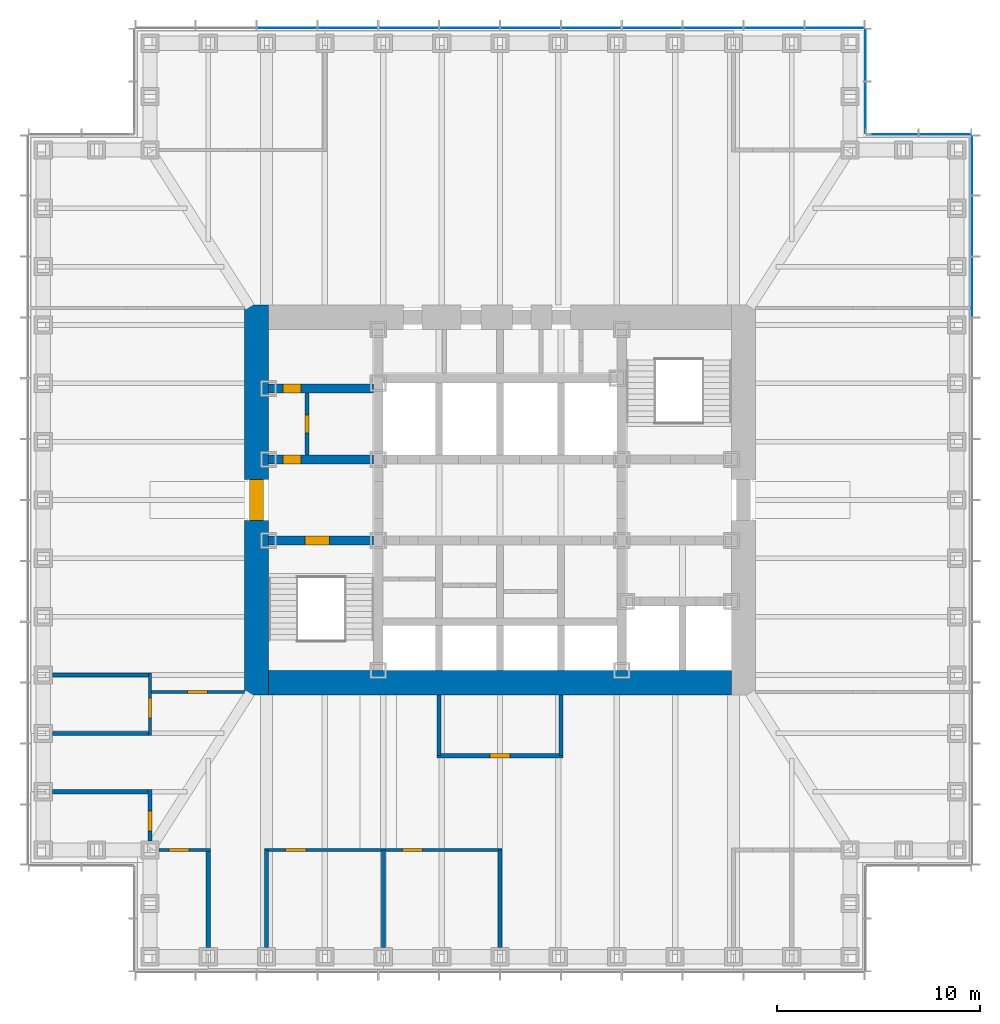
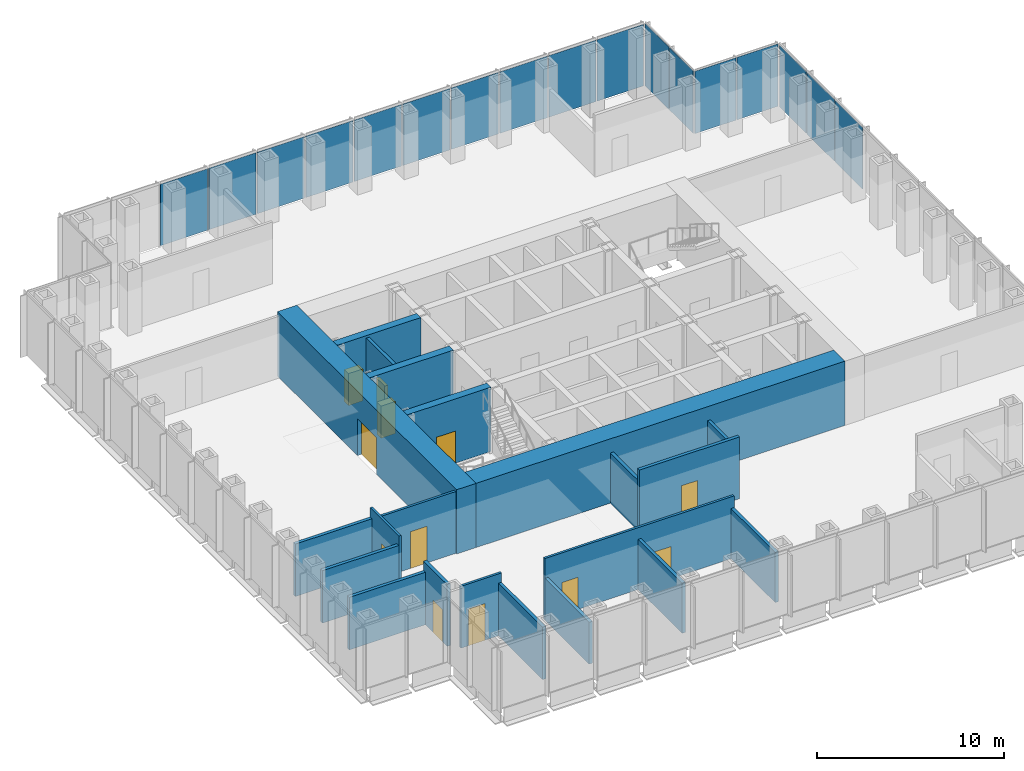
# One storey, part 8 of 16: 21 walls, 17 plates, 12 doors, 12 openings, 4 elements without a shape of their own.
"""IFC4 building model written with IfcOpenShell, lengths in metres."""

from ifc_helpers import new_model, si_unit, direction, frame, frame_2d, origin, origin_2d, place, context, subcontext, project, spatial, rectangle, extrude, material, layer, layer_set, type_object, element, fill, aggregate, save


model = new_model("IFC4")

# Units and contexts
model_context = context("Model", 3, precision=1e-05, world=origin(), true_north=direction((0.0, 1.0)))
body_context = subcontext(model_context, "Body", "Model", "MODEL_VIEW")
ifc_project = project(units=[si_unit("LENGTHUNIT", "METRE"), si_unit("AREAUNIT", "SQUARE_METRE"), si_unit("VOLUMEUNIT", "CUBIC_METRE"), si_unit("PLANEANGLEUNIT", "RADIAN"), si_unit("MASSUNIT", "GRAM", prefix="KILO")], contexts=[model_context])

# Site, building, storey
site_placement = place(None, origin())
site = spatial("IfcSite", under=ifc_project, at=site_placement, CompositionType="ELEMENT")
building_placement = place(site_placement, origin())
building = spatial("IfcBuilding", under=site, at=building_placement, Name="Daluyong Arena Tower", CompositionType="ELEMENT")
storey_placement = place(building_placement, frame((0.0, 0.0, 116.5)))
storey = spatial("IfcBuildingStorey", under=building, at=storey_placement, Name="L25", CompositionType="ELEMENT", Elevation=116.5)

# Curtain wall, plates
ifc_material_1 = material(Name="Bronze anodised aluminium and glass", Category="aluminium")
curtain_wall_type_1 = type_object("IfcCurtainWallType", Name="Curtain wall CW2", PredefinedType="USERDEFINED", material=ifc_material_1)
curtain_wall_1_placement = place(storey_placement, origin())
curtain_wall_1 = element("IfcCurtainWall", 1, at=curtain_wall_1_placement, inside=storey, type_object=curtain_wall_type_1, Name="curtain wall L25 E", ObjectType="UNITISED CURTAIN WALL", PredefinedType="USERDEFINED")
ifc_material_2 = material(Name="Tinted double glazed unit", Category="glass")
ifc_layer_1 = layer(ifc_material_2, 0.031982421875)
ifc_layer_set_1 = layer_set([ifc_layer_1], Name="Tinted double glazed unit")
plate_type_1 = type_object("IfcPlateType", Name="CW2 panel 32", PredefinedType="CURTAIN_PANEL", material=ifc_layer_set_1)
plate_1_placement = place(storey_placement, frame((79.25, 90.5, 0.0), z_axis=(0.0, 0.0, 1.0), x_axis=(0.0, 1.0, 0.0)))
plate_1 = element("IfcPlate", 2, at=plate_1_placement, type_object=plate_type_1, Name="curtain wall L25 E panel 10", PredefinedType="CURTAIN_PANEL", context=body_context, shape_type="SweptSolid", body=[
    extrude(rectangle(XDim=2.919921875, YDim=0.031982421875, at=origin_2d()), origin(), (0.0, 0.0, 1.0), 4.02001953125),
])
plate_2_placement = place(storey_placement, frame((79.25, 93.5, 0.0), z_axis=(0.0, 0.0, 1.0), x_axis=(0.0, 1.0, 0.0)))
plate_2 = element("IfcPlate", 3, at=plate_2_placement, type_object=plate_type_1, Name="curtain wall L25 E panel 11", PredefinedType="CURTAIN_PANEL", context=body_context, shape_type="SweptSolid", body=[
    extrude(rectangle(XDim=2.919921875, YDim=0.031982421875, at=origin_2d()), origin(), (0.0, 0.0, 1.0), 4.02001953125),
])
plate_3_placement = place(storey_placement, frame((79.25, 96.47998046875, 0.0), z_axis=(0.0, 0.0, 1.0), x_axis=(0.0, 1.0, 0.0)))
plate_3 = element("IfcPlate", 4, at=plate_3_placement, type_object=plate_type_1, Name="curtain wall L25 E panel 12", PredefinedType="CURTAIN_PANEL", context=body_context, shape_type="SweptSolid", body=[
    extrude(rectangle(XDim=2.8798828125, YDim=0.031982421875, at=origin_2d()), origin(), (0.0, 0.0, 1.0), 4.02001953125),
])
aggregate(curtain_wall_1, [plate_1, plate_2, plate_3])

curtain_wall_2_placement = place(storey_placement, origin())
curtain_wall_2 = element("IfcCurtainWall", 5, at=curtain_wall_2_placement, inside=storey, type_object=curtain_wall_type_1, Name="curtain wall L25 N", ObjectType="UNITISED CURTAIN WALL", PredefinedType="USERDEFINED")
plate_4_placement = place(storey_placement, frame((72.47998046875, 103.25, 0.0), z_axis=(0.0, 0.0, 1.0), x_axis=(-1.0, 0.0, 0.0)))
plate_4 = element("IfcPlate", 6, at=plate_4_placement, type_object=plate_type_1, Name="curtain wall L25 N panel 1", PredefinedType="CURTAIN_PANEL", context=body_context, shape_type="SweptSolid", body=[
    extrude(rectangle(XDim=2.8798828125, YDim=0.031982421875, at=origin_2d()), origin(), (0.0, 0.0, 1.0), 4.02001953125),
])
plate_5_placement = place(storey_placement, frame((69.5, 103.25, 0.0), z_axis=(0.0, 0.0, 1.0), x_axis=(-1.0, 0.0, 0.0)))
plate_5 = element("IfcPlate", 7, at=plate_5_placement, type_object=plate_type_1, Name="curtain wall L25 N panel 2", PredefinedType="CURTAIN_PANEL", context=body_context, shape_type="SweptSolid", body=[
    extrude(rectangle(XDim=2.919921875, YDim=0.031982421875, at=origin_2d()), origin(), (0.0, 0.0, 1.0), 4.02001953125),
])
plate_6_placement = place(storey_placement, frame((66.5, 103.25, 0.0), z_axis=(0.0, 0.0, 1.0), x_axis=(-1.0, 0.0, 0.0)))
plate_6 = element("IfcPlate", 8, at=plate_6_placement, type_object=plate_type_1, Name="curtain wall L25 N panel 3", PredefinedType="CURTAIN_PANEL", context=body_context, shape_type="SweptSolid", body=[
    extrude(rectangle(XDim=2.919921875, YDim=0.031982421875, at=origin_2d()), origin(), (0.0, 0.0, 1.0), 4.02001953125),
])
plate_7_placement = place(storey_placement, frame((63.5, 103.25, 0.0), z_axis=(0.0, 0.0, 1.0), x_axis=(-1.0, 0.0, 0.0)))
plate_7 = element("IfcPlate", 9, at=plate_7_placement, type_object=plate_type_1, Name="curtain wall L25 N panel 4", PredefinedType="CURTAIN_PANEL", context=body_context, shape_type="SweptSolid", body=[
    extrude(rectangle(XDim=2.919921875, YDim=0.031982421875, at=origin_2d()), origin(), (0.0, 0.0, 1.0), 4.02001953125),
])
plate_8_placement = place(storey_placement, frame((60.5, 103.25, 0.0), z_axis=(0.0, 0.0, 1.0), x_axis=(-1.0, 0.0, 0.0)))
plate_8 = element("IfcPlate", 10, at=plate_8_placement, type_object=plate_type_1, Name="curtain wall L25 N panel 5", PredefinedType="CURTAIN_PANEL", context=body_context, shape_type="SweptSolid", body=[
    extrude(rectangle(XDim=2.919921875, YDim=0.031982421875, at=origin_2d()), origin(), (0.0, 0.0, 1.0), 4.02001953125),
])
plate_9_placement = place(storey_placement, frame((57.5, 103.25, 0.0), z_axis=(0.0, 0.0, 1.0), x_axis=(-1.0, 0.0, 0.0)))
plate_9 = element("IfcPlate", 11, at=plate_9_placement, type_object=plate_type_1, Name="curtain wall L25 N panel 6", PredefinedType="CURTAIN_PANEL", context=body_context, shape_type="SweptSolid", body=[
    extrude(rectangle(XDim=2.919921875, YDim=0.031982421875, at=origin_2d()), origin(), (0.0, 0.0, 1.0), 4.02001953125),
])
plate_10_placement = place(storey_placement, frame((54.5, 103.25, 0.0), z_axis=(0.0, 0.0, 1.0), x_axis=(-1.0, 0.0, 0.0)))
plate_10 = element("IfcPlate", 12, at=plate_10_placement, type_object=plate_type_1, Name="curtain wall L25 N panel 7", PredefinedType="CURTAIN_PANEL", context=body_context, shape_type="SweptSolid", body=[
    extrude(rectangle(XDim=2.919921875, YDim=0.031982421875, at=origin_2d()), origin(), (0.0, 0.0, 1.0), 4.02001953125),
])
plate_11_placement = place(storey_placement, frame((51.5, 103.25, 0.0), z_axis=(0.0, 0.0, 1.0), x_axis=(-1.0, 0.0, 0.0)))
plate_11 = element("IfcPlate", 13, at=plate_11_placement, type_object=plate_type_1, Name="curtain wall L25 N panel 8", PredefinedType="CURTAIN_PANEL", context=body_context, shape_type="SweptSolid", body=[
    extrude(rectangle(XDim=2.919921875, YDim=0.031982421875, at=origin_2d()), origin(), (0.0, 0.0, 1.0), 4.02001953125),
])
plate_12_placement = place(storey_placement, frame((48.5, 103.25, 0.0), z_axis=(0.0, 0.0, 1.0), x_axis=(-1.0, 0.0, 0.0)))
plate_12 = element("IfcPlate", 14, at=plate_12_placement, type_object=plate_type_1, Name="curtain wall L25 N panel 9", PredefinedType="CURTAIN_PANEL", context=body_context, shape_type="SweptSolid", body=[
    extrude(rectangle(XDim=2.919921875, YDim=0.031982421875, at=origin_2d()), origin(), (0.0, 0.0, 1.0), 4.02001953125),
])
plate_13_placement = place(storey_placement, frame((45.5, 103.25, 0.0), z_axis=(0.0, 0.0, 1.0), x_axis=(-1.0, 0.0, 0.0)))
plate_13 = element("IfcPlate", 15, at=plate_13_placement, type_object=plate_type_1, Name="curtain wall L25 N panel 10", PredefinedType="CURTAIN_PANEL", context=body_context, shape_type="SweptSolid", body=[
    extrude(rectangle(XDim=2.919921875, YDim=0.031982421875, at=origin_2d()), origin(), (0.0, 0.0, 1.0), 4.02001953125),
])
aggregate(curtain_wall_2, [plate_4, plate_5, plate_6, plate_7, plate_8, plate_9, plate_10, plate_11, plate_12, plate_13])

ifc_material_3 = material(Name="Bronze anodised aluminium and glass", Category="aluminium")
curtain_wall_type_2 = type_object("IfcCurtainWallType", Name="Curtain wall CW7", PredefinedType="USERDEFINED", material=ifc_material_3)
curtain_wall_3_placement = place(storey_placement, origin())
curtain_wall_3 = element("IfcCurtainWall", 16, at=curtain_wall_3_placement, inside=storey, type_object=curtain_wall_type_2, Name="curtain wall L25 NE-N", ObjectType="UNITISED CURTAIN WALL", PredefinedType="USERDEFINED")
ifc_material_4 = material(Name="Tinted double glazed unit", Category="glass")
ifc_layer_2 = layer(ifc_material_4, 0.028076171875)
ifc_layer_set_2 = layer_set([ifc_layer_2], Name="Tinted double glazed unit")
plate_type_2 = type_object("IfcPlateType", Name="CW7 panel 28", PredefinedType="CURTAIN_PANEL", material=ifc_layer_set_2)
plate_14_placement = place(storey_placement, frame((77.922607421875, 98.0, 0.0), z_axis=(0.0, 0.0, 1.0), x_axis=(-1.0, 0.0, 0.0)))
plate_14 = element("IfcPlate", 17, at=plate_14_placement, type_object=plate_type_2, Name="curtain wall L25 NE-N panel 1", PredefinedType="CURTAIN_PANEL", context=body_context, shape_type="SweptSolid", body=[
    extrude(rectangle(XDim=2.534912109375, YDim=0.028076171875, at=origin_2d()), origin(), (0.0, 0.0, 1.0), 4.080078125),
])
plate_15_placement = place(storey_placement, frame((75.327392578125, 98.0, 0.0), z_axis=(0.0, 0.0, 1.0), x_axis=(-1.0, 0.0, 0.0)))
plate_15 = element("IfcPlate", 18, at=plate_15_placement, type_object=plate_type_2, Name="curtain wall L25 NE-N panel 2", PredefinedType="CURTAIN_PANEL", context=body_context, shape_type="SweptSolid", body=[
    extrude(rectangle(XDim=2.534912109375, YDim=0.028076171875, at=origin_2d()), origin(), (0.0, 0.0, 1.0), 4.080078125),
])
aggregate(curtain_wall_3, [plate_14, plate_15])

curtain_wall_4_placement = place(storey_placement, origin())
curtain_wall_4 = element("IfcCurtainWall", 19, at=curtain_wall_4_placement, inside=storey, type_object=curtain_wall_type_2, Name="curtain wall L25 NE-E", ObjectType="UNITISED CURTAIN WALL", PredefinedType="USERDEFINED")
plate_16_placement = place(storey_placement, frame((74.0, 99.327392578125, 0.0), z_axis=(0.0, 0.0, 1.0), x_axis=(0.0, 1.0, 0.0)))
plate_16 = element("IfcPlate", 20, at=plate_16_placement, type_object=plate_type_2, Name="curtain wall L25 NE-E panel 1", PredefinedType="CURTAIN_PANEL", context=body_context, shape_type="SweptSolid", body=[
    extrude(rectangle(XDim=2.534912109375, YDim=0.028076171875, at=origin_2d()), origin(), (0.0, 0.0, 1.0), 4.080078125),
])
plate_17_placement = place(storey_placement, frame((74.0, 101.922607421875, 0.0), z_axis=(0.0, 0.0, 1.0), x_axis=(0.0, 1.0, 0.0)))
plate_17 = element("IfcPlate", 21, at=plate_17_placement, type_object=plate_type_2, Name="curtain wall L25 NE-E panel 2", PredefinedType="CURTAIN_PANEL", context=body_context, shape_type="SweptSolid", body=[
    extrude(rectangle(XDim=2.534912109375, YDim=0.028076171875, at=origin_2d()), origin(), (0.0, 0.0, 1.0), 4.080078125),
])
aggregate(curtain_wall_4, [plate_16, plate_17])

# Wall, opening, door
ifc_material_5 = material(Name="Concrete fc' 45 MPa", Category="concrete")
ifc_layer_3 = layer(ifc_material_5, 0.449951171875)
ifc_layer_set_3 = layer_set([ifc_layer_3], Name="Concrete fc' 45 MPa")
wall_type_1 = type_object("IfcWallType", Name="Core inner wall 450", PredefinedType="SHEAR", material=ifc_layer_set_3)
wall_1_placement = place(storey_placement, frame((44.60009765625, 78.0, 0.0), z_axis=(0.0, 0.0, 1.0), x_axis=(1.0, 0.0, 0.0)))
wall_1 = element("IfcWall", 22, at=wall_1_placement, inside=storey, type_object=wall_type_1, Name="core inner wall at L25", PredefinedType="SHEAR", context=body_context, shape_type="SweptSolid", body=[
    extrude(rectangle(XDim=5.1748046875, YDim=0.449951171875, at=frame_2d((2.58740234375, 0.0))), origin(), (0.0, 0.0, 1.0), 4.199951171875),
])
opening_1_placement = place(wall_1_placement, frame((1.800048828125, 0.0, 0.0)))
opening_1 = element("IfcOpeningElement", 23, at=opening_1_placement, cuts=wall_1, Name="Opening 25016", PredefinedType="OPENING", context=body_context, shape_type="SweptSolid", body=[
    extrude(rectangle(XDim=1.199951171875, YDim=2.10009765625, at=frame_2d((0.60009765625, 1.050048828125))), frame((0.0, 0.23486328125, 0.0), z_axis=(0.0, -1.0, 0.0), x_axis=(1.0, 0.0, 0.0)), (0.0, 0.0, 1.0), 0.469970703125),
])
ifc_material_6 = material(Name="Steel door, fire rated", Category="steel")
door_type_1 = type_object("IfcDoorType", Name="Stair door 1200", OperationType="SINGLE_SWING_LEFT", PredefinedType="DOOR", material=ifc_material_6)
door_1_placement = place(opening_1_placement, origin())
door_1 = element("IfcDoor", 24, at=door_1_placement, inside=storey, type_object=door_type_1, Name="stair A door 25016", OperationType="SINGLE_SWING_LEFT", OverallHeight=2.10009765625, OverallWidth=1.199951171875, PredefinedType="DOOR", context=body_context, shape_type="SweptSolid", body=[
    extrude(rectangle(XDim=1.199951171875, YDim=2.10009765625, at=frame_2d((0.60009765625, 1.050048828125))), frame((0.0, 0.224609375, 0.0), z_axis=(0.0, -1.0, 0.0), x_axis=(1.0, 0.0, 0.0)), (0.0, 0.0, 1.0), 0.449462890625),
])
fill(opening_1, door_1)

wall_2_placement = place(storey_placement, frame((44.60009765625, 82.0, 0.0), z_axis=(0.0, 0.0, 1.0), x_axis=(1.0, 0.0, 0.0)))
wall_2 = element("IfcWall", 25, at=wall_2_placement, inside=storey, type_object=wall_type_1, Name="core inner wall at L25", PredefinedType="SHEAR", context=body_context, shape_type="SweptSolid", body=[
    extrude(rectangle(XDim=5.1748046875, YDim=0.449951171875, at=frame_2d((2.58740234375, 0.0))), origin(), (0.0, 0.0, 1.0), 4.199951171875),
])
opening_2_placement = place(wall_2_placement, frame((0.699951171875, 0.0, 0.0)))
opening_2 = element("IfcOpeningElement", 26, at=opening_2_placement, cuts=wall_2, Name="Opening 25001", PredefinedType="OPENING", context=body_context, shape_type="SweptSolid", body=[
    extrude(rectangle(XDim=0.89990234375, YDim=2.10009765625, at=frame_2d((0.449951171875, 1.050048828125))), frame((0.0, 0.23486328125, 0.0), z_axis=(0.0, -1.0, 0.0), x_axis=(1.0, 0.0, 0.0)), (0.0, 0.0, 1.0), 0.469970703125),
])
ifc_material_7 = material(Name="Steel door, fire rated", Category="steel")
door_type_2 = type_object("IfcDoorType", Name="Core room door 900", OperationType="SINGLE_SWING_LEFT", PredefinedType="DOOR", material=ifc_material_7)
door_2_placement = place(opening_2_placement, origin())
door_2 = element("IfcDoor", 27, at=door_2_placement, inside=storey, type_object=door_type_2, Name="toilet lobby door 25001", OperationType="SINGLE_SWING_LEFT", OverallHeight=2.10009765625, OverallWidth=0.89990234375, PredefinedType="DOOR", context=body_context, shape_type="SweptSolid", body=[
    extrude(rectangle(XDim=0.89990234375, YDim=2.10009765625, at=frame_2d((0.449951171875, 1.050048828125))), frame((0.0, 0.224609375, 0.0), z_axis=(0.0, -1.0, 0.0), x_axis=(1.0, 0.0, 0.0)), (0.0, 0.0, 1.0), 0.449462890625),
])
fill(opening_2, door_2)

wall_3_placement = place(storey_placement, frame((44.60009765625, 85.5, 0.0), z_axis=(0.0, 0.0, 1.0), x_axis=(1.0, 0.0, 0.0)))
wall_3 = element("IfcWall", 28, at=wall_3_placement, inside=storey, type_object=wall_type_1, Name="core inner wall at L25", PredefinedType="SHEAR", context=body_context, shape_type="SweptSolid", body=[
    extrude(rectangle(XDim=5.1748046875, YDim=0.449951171875, at=frame_2d((2.58740234375, 0.0))), origin(), (0.0, 0.0, 1.0), 4.199951171875),
])
opening_3_placement = place(wall_3_placement, frame((0.699951171875, 0.0, 0.0)))
opening_3 = element("IfcOpeningElement", 29, at=opening_3_placement, cuts=wall_3, Name="Opening 25003", PredefinedType="OPENING", context=body_context, shape_type="SweptSolid", body=[
    extrude(rectangle(XDim=0.89990234375, YDim=2.10009765625, at=frame_2d((0.449951171875, 1.050048828125))), frame((0.0, 0.23486328125, 0.0), z_axis=(0.0, -1.0, 0.0), x_axis=(1.0, 0.0, 0.0)), (0.0, 0.0, 1.0), 0.469970703125),
])
ifc_material_8 = material(Name="Timber door", Category="wood")
door_type_3 = type_object("IfcDoorType", Name="Toilet door 900", OperationType="SINGLE_SWING_RIGHT", PredefinedType="DOOR", material=ifc_material_8)
door_3_placement = place(opening_3_placement, origin())
door_3 = element("IfcDoor", 30, at=door_3_placement, inside=storey, type_object=door_type_3, Name="female toilet door 25003", OperationType="SINGLE_SWING_RIGHT", OverallHeight=2.10009765625, OverallWidth=0.89990234375, PredefinedType="DOOR", context=body_context, shape_type="SweptSolid", body=[
    extrude(rectangle(XDim=0.89990234375, YDim=2.10009765625, at=frame_2d((0.449951171875, 1.050048828125))), frame((0.0, 0.224609375, 0.0), z_axis=(0.0, -1.0, 0.0), x_axis=(1.0, 0.0, 0.0)), (0.0, 0.0, 1.0), 0.449462890625),
])
fill(opening_3, door_3)

ifc_material_9 = material(Name="Concrete fc' 60 MPa", Category="concrete")
ifc_layer_4 = layer(ifc_material_9, 1.199951171875)
ifc_layer_set_4 = layer_set([ifc_layer_4], Name="Concrete fc' 60 MPa")
wall_type_2 = type_object("IfcWallType", Name="Core wall 1200", PredefinedType="SHEAR", material=ifc_layer_set_4)
wall_4_placement = place(storey_placement, frame((44.0, 70.39990234375, 0.0), z_axis=(0.0, 0.0, 1.0), x_axis=(0.0, 1.0, 0.0)))
wall_4 = element("IfcWall", 31, at=wall_4_placement, inside=storey, type_object=wall_type_2, Name="core wall at L25", PredefinedType="SHEAR", context=body_context, shape_type="SweptSolid", body=[
    extrude(rectangle(XDim=19.2001953125, YDim=1.199951171875, at=frame_2d((9.60009765625, 0.0))), origin(), (0.0, 0.0, 1.0), 4.199951171875),
])
opening_4_placement = place(wall_4_placement, frame((8.60009765625, 0.0, 0.0)))
opening_4 = element("IfcOpeningElement", 32, at=opening_4_placement, cuts=wall_4, Name="Opening 25018", PredefinedType="OPENING", context=body_context, shape_type="SweptSolid", body=[
    extrude(rectangle(XDim=2.0, YDim=2.39990234375, at=frame_2d((1.0, 1.199951171875))), frame((0.0, 0.60986328125, 0.0), z_axis=(0.0, -1.0, 0.0), x_axis=(1.0, 0.0, 0.0)), (0.0, 0.0, 1.0), 1.219970703125),
])
ifc_material_10 = material(Name="Steel door, fire rated", Category="steel")
door_type_4 = type_object("IfcDoorType", Name="Core lobby double door 2000", OperationType="DOUBLE_DOOR_SINGLE_SWING", PredefinedType="DOOR", material=ifc_material_10)
door_4_placement = place(opening_4_placement, origin())
door_4 = element("IfcDoor", 33, at=door_4_placement, inside=storey, type_object=door_type_4, Name="core lobby door west 25018", OperationType="DOUBLE_DOOR_SINGLE_SWING", OverallHeight=2.39990234375, OverallWidth=2.0, PredefinedType="DOOR", context=body_context, shape_type="SweptSolid", body=[
    extrude(rectangle(XDim=2.0, YDim=2.39990234375, at=frame_2d((1.0, 1.199951171875))), frame((0.0, 0.35009765625, 0.0), z_axis=(0.0, -1.0, 0.0), x_axis=(1.0, 0.0, 0.0)), (0.0, 0.0, 1.0), 0.699951171875),
])
fill(opening_4, door_4)

# Wall
wall_5_placement = place(storey_placement, frame((44.60009765625, 71.0, 0.0), z_axis=(0.0, 0.0, 1.0), x_axis=(1.0, 0.0, 0.0)))
element("IfcWall", 34, at=wall_5_placement, inside=storey, type_object=wall_type_2, Name="core wall at L25", PredefinedType="SHEAR", context=body_context, shape_type="SweptSolid", body=[
    extrude(rectangle(XDim=22.7998046875, YDim=1.199951171875, at=frame_2d((11.39990234375, 0.0))), origin(), (0.0, 0.0, 1.0), 4.199951171875),
])

# Wall, opening, door
ifc_material_11 = material(Name="Concrete block partition, fire rated", Category="concrete")
ifc_layer_5 = layer(ifc_material_11, 0.199951171875)
ifc_layer_set_5 = layer_set([ifc_layer_5], Name="Concrete block partition, fire rated")
wall_type_3 = type_object("IfcWallType", Name="Fire-rated partition 200", PredefinedType="PARTITIONING", material=ifc_layer_set_5)
wall_6_placement = place(storey_placement, frame((46.5, 82.22509765625, 0.0), z_axis=(0.0, 0.0, 1.0), x_axis=(0.0, 1.0, 0.0)))
wall_6 = element("IfcWall", 35, at=wall_6_placement, inside=storey, type_object=wall_type_3, Name="toilet lobby partition at L25", PredefinedType="PARTITIONING", context=body_context, shape_type="SweptSolid", body=[
    extrude(rectangle(XDim=3.0498046875, YDim=0.199951171875, at=frame_2d((1.52490234375, 0.0))), origin(), (0.0, 0.0, 1.0), 4.0400390625),
])
opening_5_placement = place(wall_6_placement, frame((1.074951171875, 0.0, 0.0)))
opening_5 = element("IfcOpeningElement", 36, at=opening_5_placement, cuts=wall_6, Name="Opening 25002", PredefinedType="OPENING", context=body_context, shape_type="SweptSolid", body=[
    extrude(rectangle(XDim=0.89990234375, YDim=2.10009765625, at=frame_2d((0.449951171875, 1.050048828125))), frame((0.0, 0.10986328125, 0.0), z_axis=(0.0, -1.0, 0.0), x_axis=(1.0, 0.0, 0.0)), (0.0, 0.0, 1.0), 0.219970703125),
])
door_5_placement = place(opening_5_placement, origin())
door_5 = element("IfcDoor", 37, at=door_5_placement, inside=storey, type_object=door_type_3, Name="male toilet door 25002", OperationType="SINGLE_SWING_RIGHT", OverallHeight=2.10009765625, OverallWidth=0.89990234375, PredefinedType="DOOR", context=body_context, shape_type="SweptSolid", body=[
    extrude(rectangle(XDim=0.89990234375, YDim=2.10009765625, at=frame_2d((0.449951171875, 1.050048828125))), frame((0.0, 0.099609375, 0.0), z_axis=(0.0, -1.0, 0.0), x_axis=(1.0, 0.0, 0.0)), (0.0, 0.0, 1.0), 0.199462890625),
])
fill(opening_5, door_5)

ifc_material_12 = material(Name="Glazed aluminium partition", Category="aluminium")
ifc_layer_6 = layer(ifc_material_12, 0.14990234375)
ifc_layer_set_6 = layer_set([ifc_layer_6], Name="Glazed aluminium partition")
wall_type_4 = type_object("IfcWallType", Name="Glazed partition 150", PredefinedType="PARTITIONING", material=ifc_layer_set_6)
wall_7_placement = place(storey_placement, frame((39.199951171875, 62.75, 0.0), z_axis=(0.0, 0.0, 1.0), x_axis=(1.0, 0.0, 0.0)))
wall_7 = element("IfcWall", 38, at=wall_7_placement, inside=storey, type_object=wall_type_4, Name="glazed partition at L25", PredefinedType="PARTITIONING", context=body_context, shape_type="SweptSolid", body=[
    extrude(rectangle(XDim=2.525146484375, YDim=0.14990234375, at=frame_2d((1.2626953125, 0.0))), origin(), (0.0, 0.0, 1.0), 4.0400390625),
])
opening_6_placement = place(wall_7_placement, frame((0.487548828125, 0.0, 0.0)))
opening_6 = element("IfcOpeningElement", 39, at=opening_6_placement, cuts=wall_7, Name="Opening 25029", PredefinedType="OPENING", context=body_context, shape_type="SweptSolid", body=[
    extrude(rectangle(XDim=1.0, YDim=2.39990234375, at=frame_2d((0.5, 1.199951171875))), frame((0.0, 0.0849609375, 0.0), z_axis=(0.0, -1.0, 0.0), x_axis=(1.0, 0.0, 0.0)), (0.0, 0.0, 1.0), 0.169921875),
])
ifc_material_13 = material(Name="Glazed aluminium door", Category="aluminium")
door_type_5 = type_object("IfcDoorType", Name="Meeting room glazed door 1000", OperationType="SINGLE_SWING_RIGHT", PredefinedType="DOOR", material=ifc_material_13)
door_6_placement = place(opening_6_placement, origin())
door_6 = element("IfcDoor", 40, at=door_6_placement, inside=storey, type_object=door_type_5, Name="meeting room door 25029", OperationType="SINGLE_SWING_RIGHT", OverallHeight=2.39990234375, OverallWidth=1.0, PredefinedType="DOOR", context=body_context, shape_type="SweptSolid", body=[
    extrude(rectangle(XDim=1.0, YDim=2.39990234375, at=frame_2d((0.5, 1.199951171875))), frame((0.0, 0.07470703125, 0.0), z_axis=(0.0, -1.0, 0.0), x_axis=(1.0, 0.0, 0.0)), (0.0, 0.0, 1.0), 0.1494140625),
])
fill(opening_6, door_6)

# Wall, openings, doors
wall_8_placement = place(storey_placement, frame((44.39990234375, 62.75, 0.0), z_axis=(0.0, 0.0, 1.0), x_axis=(1.0, 0.0, 0.0)))
wall_8 = element("IfcWall", 41, at=wall_8_placement, inside=storey, type_object=wall_type_4, Name="glazed partition at L25", PredefinedType="PARTITIONING", context=body_context, shape_type="SweptSolid", body=[
    extrude(rectangle(XDim=11.7001953125, YDim=0.14990234375, at=frame_2d((5.85009765625, 0.0))), origin(), (0.0, 0.0, 1.0), 4.0400390625),
])
opening_7_placement = place(wall_8_placement, frame((1.03759765625, 0.0, 0.0)))
opening_7 = element("IfcOpeningElement", 42, at=opening_7_placement, cuts=wall_8, Name="Opening 25030", PredefinedType="OPENING", context=body_context, shape_type="SweptSolid", body=[
    extrude(rectangle(XDim=1.0, YDim=2.10009765625, at=frame_2d((0.5, 1.050048828125))), frame((0.0, 0.0849609375, 0.0), z_axis=(0.0, -1.0, 0.0), x_axis=(1.0, 0.0, 0.0)), (0.0, 0.0, 1.0), 0.169921875),
])
opening_8_placement = place(wall_8_placement, frame((6.78759765625, 0.0, 0.0)))
opening_8 = element("IfcOpeningElement", 43, at=opening_8_placement, cuts=wall_8, Name="Opening 25031", PredefinedType="OPENING", context=body_context, shape_type="SweptSolid", body=[
    extrude(rectangle(XDim=1.0, YDim=2.10009765625, at=frame_2d((0.5, 1.050048828125))), frame((0.0, 0.0849609375, 0.0), z_axis=(0.0, -1.0, 0.0), x_axis=(1.0, 0.0, 0.0)), (0.0, 0.0, 1.0), 0.169921875),
])
ifc_material_14 = material(Name="Timber door", Category="wood")
door_type_6 = type_object("IfcDoorType", Name="Room door 1000", OperationType="SINGLE_SWING_LEFT", PredefinedType="DOOR", material=ifc_material_14)
door_7_placement = place(opening_7_placement, origin())
door_7 = element("IfcDoor", 44, at=door_7_placement, inside=storey, type_object=door_type_6, Name="office door 25030", OperationType="SINGLE_SWING_LEFT", OverallHeight=2.10009765625, OverallWidth=1.0, PredefinedType="DOOR", context=body_context, shape_type="SweptSolid", body=[
    extrude(rectangle(XDim=1.0, YDim=2.10009765625, at=frame_2d((0.5, 1.050048828125))), frame((0.0, 0.07470703125, 0.0), z_axis=(0.0, -1.0, 0.0), x_axis=(1.0, 0.0, 0.0)), (0.0, 0.0, 1.0), 0.1494140625),
])
fill(opening_7, door_7)
door_8_placement = place(opening_8_placement, origin())
door_8 = element("IfcDoor", 45, at=door_8_placement, inside=storey, type_object=door_type_6, Name="office door 25031", OperationType="SINGLE_SWING_LEFT", OverallHeight=2.10009765625, OverallWidth=1.0, PredefinedType="DOOR", context=body_context, shape_type="SweptSolid", body=[
    extrude(rectangle(XDim=1.0, YDim=2.10009765625, at=frame_2d((0.5, 1.050048828125))), frame((0.0, 0.07470703125, 0.0), z_axis=(0.0, -1.0, 0.0), x_axis=(1.0, 0.0, 0.0)), (0.0, 0.0, 1.0), 0.1494140625),
])
fill(opening_8, door_8)

# Wall, opening, door
wall_9_placement = place(storey_placement, frame((38.800048828125, 70.550048828125, 0.0), z_axis=(0.0, 0.0, 1.0), x_axis=(1.0, 0.0, 0.0)))
wall_9 = element("IfcWall", 46, at=wall_9_placement, inside=storey, type_object=wall_type_4, Name="glazed partition at L25", PredefinedType="PARTITIONING", context=body_context, shape_type="SweptSolid", body=[
    extrude(rectangle(XDim=4.599853515625, YDim=0.14990234375, at=frame_2d((2.2998046875, 0.0))), origin(), (0.0, 0.0, 1.0), 4.0400390625),
])
opening_9_placement = place(wall_9_placement, frame((1.800048828125, 0.0, 0.0)))
opening_9 = element("IfcOpeningElement", 47, at=opening_9_placement, cuts=wall_9, Name="Opening 25039", PredefinedType="OPENING", context=body_context, shape_type="SweptSolid", body=[
    extrude(rectangle(XDim=1.0, YDim=2.39990234375, at=frame_2d((0.5, 1.199951171875))), frame((0.0, 0.0849609375, 0.0), z_axis=(0.0, -1.0, 0.0), x_axis=(1.0, 0.0, 0.0)), (0.0, 0.0, 1.0), 0.169921875),
])
door_9_placement = place(opening_9_placement, origin())
door_9 = element("IfcDoor", 48, at=door_9_placement, inside=storey, type_object=door_type_5, Name="team area screen door 25039", OperationType="SINGLE_SWING_RIGHT", OverallHeight=2.39990234375, OverallWidth=1.0, PredefinedType="DOOR", context=body_context, shape_type="SweptSolid", body=[
    extrude(rectangle(XDim=1.0, YDim=2.39990234375, at=frame_2d((0.5, 1.199951171875))), frame((0.0, 0.07470703125, 0.0), z_axis=(0.0, -1.0, 0.0), x_axis=(1.0, 0.0, 0.0)), (0.0, 0.0, 1.0), 0.1494140625),
])
fill(opening_9, door_9)

wall_10_placement = place(storey_placement, frame((38.75, 68.39990234375, 0.0), z_axis=(0.0, 0.0, 1.0), x_axis=(0.0, 1.0, 0.0)))
wall_10 = element("IfcWall", 49, at=wall_10_placement, inside=storey, type_object=wall_type_4, Name="glazed partition at L25", PredefinedType="PARTITIONING", context=body_context, shape_type="SweptSolid", body=[
    extrude(rectangle(XDim=3.0751953125, YDim=0.14990234375, at=frame_2d((1.53759765625, 0.0))), origin(), (0.0, 0.0, 1.0), 4.0400390625),
])
opening_10_placement = place(wall_10_placement, frame((0.85009765625, 0.0, 0.0)))
opening_10 = element("IfcOpeningElement", 50, at=opening_10_placement, cuts=wall_10, Name="Opening 25037", PredefinedType="OPENING", context=body_context, shape_type="SweptSolid", body=[
    extrude(rectangle(XDim=1.0, YDim=2.39990234375, at=frame_2d((0.5, 1.199951171875))), frame((0.0, 0.0849609375, 0.0), z_axis=(0.0, -1.0, 0.0), x_axis=(1.0, 0.0, 0.0)), (0.0, 0.0, 1.0), 0.169921875),
])
door_10_placement = place(opening_10_placement, origin())
door_10 = element("IfcDoor", 51, at=door_10_placement, inside=storey, type_object=door_type_5, Name="focus room door 25037", OperationType="SINGLE_SWING_RIGHT", OverallHeight=2.39990234375, OverallWidth=1.0, PredefinedType="DOOR", context=body_context, shape_type="SweptSolid", body=[
    extrude(rectangle(XDim=1.0, YDim=2.39990234375, at=frame_2d((0.5, 1.199951171875))), frame((0.0, 0.07470703125, 0.0), z_axis=(0.0, -1.0, 0.0), x_axis=(1.0, 0.0, 0.0)), (0.0, 0.0, 1.0), 0.1494140625),
])
fill(opening_10, door_10)

# Walls
ifc_material_15 = material(Name="Concrete block partition", Category="concrete")
ifc_layer_7 = layer(ifc_material_15, 0.199951171875)
ifc_layer_set_7 = layer_set([ifc_layer_7], Name="Concrete block partition")
wall_type_5 = type_object("IfcWallType", Name="Partition 200", PredefinedType="PARTITIONING", material=ifc_layer_set_7)
wall_11_placement = place(storey_placement, frame((41.625, 57.949951171875, 0.0), z_axis=(0.0, 0.0, 1.0), x_axis=(0.0, 1.0, 0.0)))
element("IfcWall", 52, at=wall_11_placement, inside=storey, type_object=wall_type_5, Name="partition at L25", PredefinedType="PARTITIONING", context=body_context, shape_type="SweptSolid", body=[
    extrude(rectangle(XDim=4.800048828125, YDim=0.199951171875, at=frame_2d((2.39990234375, 0.0))), origin(), (0.0, 0.0, 1.0), 3.427978515625),
])
wall_12_placement = place(storey_placement, frame((44.5, 57.949951171875, 0.0), z_axis=(0.0, 0.0, 1.0), x_axis=(0.0, 1.0, 0.0)))
element("IfcWall", 53, at=wall_12_placement, inside=storey, type_object=wall_type_5, Name="partition at L25", PredefinedType="PARTITIONING", context=body_context, shape_type="SweptSolid", body=[
    extrude(rectangle(XDim=4.800048828125, YDim=0.199951171875, at=frame_2d((2.39990234375, 0.0))), origin(), (0.0, 0.0, 1.0), 2.739990234375),
])
for number, where, z_axis, x_axis, name in (
    (54, (50.25, 57.949951171875, 0.0), (0.0, 0.0, 1.0), (0.0, 1.0, 0.0), "partition at L25"),
    (55, (56.0, 57.949951171875, 0.0), (0.0, 0.0, 1.0), (0.0, 1.0, 0.0), "partition at L25"),
):
    element("IfcWall", number, at=place(storey_placement, frame(where, z_axis=z_axis, x_axis=x_axis)), inside=storey, type_object=wall_type_5, Name=name, PredefinedType="PARTITIONING", context=body_context, shape_type="SweptSolid", body=[
        extrude(rectangle(XDim=4.800048828125, YDim=0.199951171875, at=frame_2d((2.39990234375, 0.0))), origin(), (0.0, 0.0, 1.0), 3.278076171875),
    ])
for number, where, z_axis, x_axis, name in (
    (56, (33.949951171875, 65.625, 0.0), (0.0, 0.0, 1.0), (1.0, 0.0, 0.0), "partition at L25"),
    (57, (33.949951171875, 68.5, 0.0), (0.0, 0.0, 1.0), (1.0, 0.0, 0.0), "partition at L25"),
    (58, (33.949951171875, 71.375, 0.0), (0.0, 0.0, 1.0), (1.0, 0.0, 0.0), "partition at L25"),
):
    element("IfcWall", number, at=place(storey_placement, frame(where, z_axis=z_axis, x_axis=x_axis)), inside=storey, type_object=wall_type_5, Name=name, PredefinedType="PARTITIONING", context=body_context, shape_type="SweptSolid", body=[
        extrude(rectangle(XDim=4.800048828125, YDim=0.199951171875, at=frame_2d((2.39990234375, 0.0))), origin(), (0.0, 0.0, 1.0), 3.427978515625),
    ])
for number, where, z_axis, x_axis, name in (
    (59, (53.0, 67.39990234375, 0.0), (0.0, 0.0, 1.0), (0.0, 1.0, 0.0), "partition at L25"),
    (60, (59.0, 67.39990234375, 0.0), (0.0, 0.0, 1.0), (0.0, 1.0, 0.0), "partition at L25"),
):
    element("IfcWall", number, at=place(storey_placement, frame(where, z_axis=z_axis, x_axis=x_axis)), inside=storey, type_object=wall_type_5, Name=name, PredefinedType="PARTITIONING", context=body_context, shape_type="SweptSolid", body=[
        extrude(rectangle(XDim=3.0, YDim=0.199951171875, at=frame_2d((1.5, 0.0))), origin(), (0.0, 0.0, 1.0), 3.278076171875),
    ])

# Wall, opening, door
wall_13_placement = place(storey_placement, frame((52.89990234375, 67.39990234375, 0.0), z_axis=(0.0, 0.0, 1.0), x_axis=(1.0, 0.0, 0.0)))
wall_13 = element("IfcWall", 61, at=wall_13_placement, inside=storey, type_object=wall_type_5, Name="partition at L25", PredefinedType="PARTITIONING", context=body_context, shape_type="SweptSolid", body=[
    extrude(rectangle(XDim=6.2001953125, YDim=0.199951171875, at=frame_2d((3.10009765625, 0.0))), origin(), (0.0, 0.0, 1.0), 4.0400390625),
])
opening_11_placement = place(wall_13_placement, frame((2.60009765625, 0.0, 0.0)))
opening_11 = element("IfcOpeningElement", 62, at=opening_11_placement, cuts=wall_13, Name="Opening 25038", PredefinedType="OPENING", context=body_context, shape_type="SweptSolid", body=[
    extrude(rectangle(XDim=1.0, YDim=2.10009765625, at=frame_2d((0.5, 1.050048828125))), frame((0.0, 0.10986328125, 0.0), z_axis=(0.0, -1.0, 0.0), x_axis=(1.0, 0.0, 0.0)), (0.0, 0.0, 1.0), 0.219970703125),
])
door_11_placement = place(opening_11_placement, origin())
door_11 = element("IfcDoor", 63, at=door_11_placement, inside=storey, type_object=door_type_6, Name="copy room door 25038", OperationType="SINGLE_SWING_LEFT", OverallHeight=2.10009765625, OverallWidth=1.0, PredefinedType="DOOR", context=body_context, shape_type="SweptSolid", body=[
    extrude(rectangle(XDim=1.0, YDim=2.10009765625, at=frame_2d((0.5, 1.050048828125))), frame((0.0, 0.099609375, 0.0), z_axis=(0.0, -1.0, 0.0), x_axis=(1.0, 0.0, 0.0)), (0.0, 0.0, 1.0), 0.199462890625),
])
fill(opening_11, door_11)

wall_14_placement = place(storey_placement, frame((38.75, 63.199951171875, 0.0), z_axis=(0.0, 0.0, 1.0), x_axis=(0.0, 1.0, 0.0)))
wall_14 = element("IfcWall", 64, at=wall_14_placement, inside=storey, type_object=wall_type_5, Name="partition at L25", PredefinedType="PARTITIONING", context=body_context, shape_type="SweptSolid", body=[
    extrude(rectangle(XDim=2.525146484375, YDim=0.199951171875, at=frame_2d((1.2626953125, 0.0))), origin(), (0.0, 0.0, 1.0), 4.0400390625),
])
opening_12_placement = place(wall_14_placement, frame((0.487548828125, 0.0, 0.0)))
opening_12 = element("IfcOpeningElement", 65, at=opening_12_placement, cuts=wall_14, Name="Opening 25036", PredefinedType="OPENING", context=body_context, shape_type="SweptSolid", body=[
    extrude(rectangle(XDim=1.0, YDim=2.10009765625, at=frame_2d((0.5, 1.050048828125))), frame((0.0, 0.10986328125, 0.0), z_axis=(0.0, -1.0, 0.0), x_axis=(1.0, 0.0, 0.0)), (0.0, 0.0, 1.0), 0.219970703125),
])
door_12_placement = place(opening_12_placement, origin())
door_12 = element("IfcDoor", 66, at=door_12_placement, inside=storey, type_object=door_type_6, Name="quiet room door 25036", OperationType="SINGLE_SWING_LEFT", OverallHeight=2.10009765625, OverallWidth=1.0, PredefinedType="DOOR", context=body_context, shape_type="SweptSolid", body=[
    extrude(rectangle(XDim=1.0, YDim=2.10009765625, at=frame_2d((0.5, 1.050048828125))), frame((0.0, 0.099609375, 0.0), z_axis=(0.0, -1.0, 0.0), x_axis=(1.0, 0.0, 0.0)), (0.0, 0.0, 1.0), 0.199462890625),
])
fill(opening_12, door_12)

save(model, "model.ifc")
